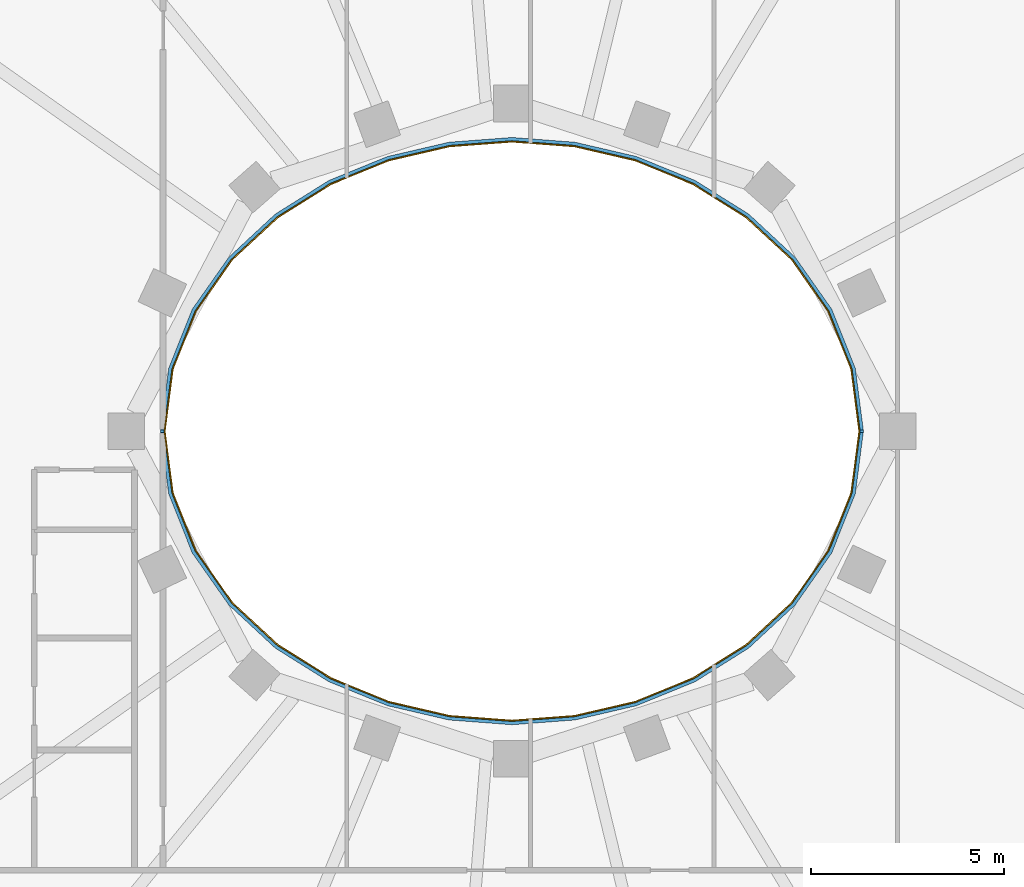
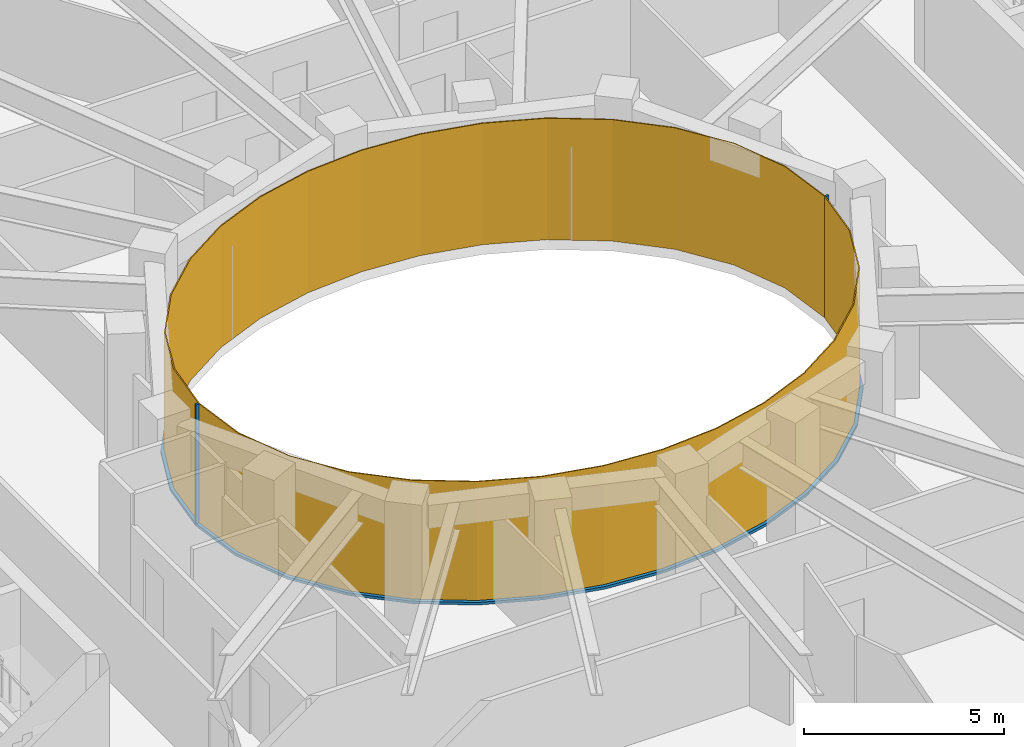
# One storey, part 10 of 15: 4 members, 2 curtain walls.
"""IFC4 building model written with IfcOpenShell, lengths in metres."""

from ifc_helpers import new_model, si_unit, direction, frame, origin, origin_2d, place, context, subcontext, project, spatial, polyline, rectangle, outline, extrude, material, layer, layer_set, material_profile, profile_set, type_object, element, aggregate, save


model = new_model("IFC4")

# Units and contexts
model_context = context("Model", 3, precision=1e-05, world=origin(), true_north=direction((0.0, 1.0)))
body_context = subcontext(model_context, "Body", "Model", "MODEL_VIEW")
ifc_project = project(units=[si_unit("LENGTHUNIT", "METRE"), si_unit("AREAUNIT", "SQUARE_METRE"), si_unit("VOLUMEUNIT", "CUBIC_METRE"), si_unit("PLANEANGLEUNIT", "RADIAN"), si_unit("MASSUNIT", "GRAM", prefix="KILO")], contexts=[model_context])

# Member
ifc_material_1 = material(Name="Steel S355 fire-resisting frame", Category="steel")
ifc_material_profile = material_profile(ifc_material_1, rectangle(XDim=0.090087890625, YDim=0.06005859375, at=origin_2d()), Name="90x60")
ifc_profile_set = profile_set([ifc_material_profile], Name="Steel S355 fire-resisting frame")
member_type_1 = type_object("IfcMemberType", Name="ENV-MULLION-W-90", PredefinedType="MULLION", material=ifc_profile_set)
site_placement = place(None, origin())
building_placement = place(site_placement, origin())
storey_placement = place(building_placement, frame((0.0, 0.0, 277.5)))
member_1_placement = place(storey_placement, frame((9.076904296875, 0.0, 0.0), z_axis=(0.0, 0.0, 1.0), x_axis=(1.0, 0.0, 0.0)))
member_1 = element("IfcMember", 1, at=member_1_placement, type_object=member_type_1, Name="Mullion W well vertex 01", PredefinedType="MULLION", context=body_context, shape_type="SweptSolid", body=[
    extrude(rectangle(XDim=0.090087890625, YDim=0.06005859375, at=origin_2d()), origin(), (0.0, 0.0, 1.0), 3.699951171875),
])

member_2_placement = place(storey_placement, frame((-9.076904296875, 0.0, 0.0), z_axis=(0.0, 0.0, 1.0), x_axis=(-1.0, 0.0, 0.0)))
member_2 = element("IfcMember", 2, at=member_2_placement, type_object=member_type_1, Name="Mullion W well vertex 17", PredefinedType="MULLION", context=body_context, shape_type="SweptSolid", body=[
    extrude(rectangle(XDim=0.090087890625, YDim=0.06005859375, at=origin_2d()), origin(), (0.0, 0.0, 1.0), 3.699951171875),
])

ifc_material_2 = material(Name="Steel S355 fire-resisting frame", Category="steel")
member_type_2 = type_object("IfcMemberType", Name="ENV-TRANSOM-W", PredefinedType="USERDEFINED", material=ifc_material_2)
member_3_placement = place(storey_placement, origin())
member_3 = element("IfcMember", 3, at=member_3_placement, type_object=member_type_2, Name="Transom W well 01-17", ObjectType="TRANSOM", PredefinedType="USERDEFINED", context=body_context, shape_type="SweptSolid", body=[
    extrude(outline(polyline([(9.119384765625, 0.02783203125), (8.910400390625, 1.63623046875), (8.29833984375, 3.167236328125), (7.35107421875, 4.5146484375), (6.1455078125, 5.6337890625), (4.75341796875, 6.50634765625), (3.233642578125, 7.127685546875), (1.635498046875, 7.498779296875), (0.0, 7.622314453125), (-1.635498046875, 7.498779296875), (-3.233642578125, 7.127685546875), (-4.75341796875, 6.50634765625), (-6.1455078125, 5.6337890625), (-7.35107421875, 4.5146484375), (-8.29833984375, 3.167236328125), (-8.910400390625, 1.63623046875), (-9.119384765625, 0.02783203125), (-9.02880859375, 0.02783203125), (-8.822509765625, 1.61328125), (-8.21875, 3.124267578125), (-7.282958984375, 4.455078125), (-6.090576171875, 5.56201171875), (-4.712158203125, 6.426025390625), (-3.206298828125, 7.04150390625), (-1.621826171875, 7.40966796875), (0.0, 7.531982421875), (1.621826171875, 7.40966796875), (3.206298828125, 7.04150390625), (4.712158203125, 6.426025390625), (6.090576171875, 5.56201171875), (7.282958984375, 4.455078125), (8.21875, 3.124267578125), (8.822509765625, 1.61328125), (9.02880859375, 0.02783203125), (9.119384765625, 0.02783203125)])), origin(), (0.0, 0.0, 1.0), 0.080078125),
])

member_4_placement = place(storey_placement, origin())
member_4 = element("IfcMember", 4, at=member_4_placement, type_object=member_type_2, Name="Transom W well 17-01", ObjectType="TRANSOM", PredefinedType="USERDEFINED", context=body_context, shape_type="SweptSolid", body=[
    extrude(outline(polyline([(-9.119384765625, -0.02783203125), (-8.910400390625, -1.63623046875), (-8.29833984375, -3.167236328125), (-7.35107421875, -4.5146484375), (-6.1455078125, -5.6337890625), (-4.75341796875, -6.50634765625), (-3.233642578125, -7.127685546875), (-1.635498046875, -7.498779296875), (0.0, -7.622314453125), (1.635498046875, -7.498779296875), (3.233642578125, -7.127685546875), (4.75341796875, -6.50634765625), (6.1455078125, -5.6337890625), (7.35107421875, -4.5146484375), (8.29833984375, -3.167236328125), (8.910400390625, -1.63623046875), (9.119384765625, -0.02783203125), (9.02880859375, -0.02783203125), (8.822509765625, -1.61328125), (8.21875, -3.124267578125), (7.282958984375, -4.455078125), (6.090576171875, -5.56201171875), (4.712158203125, -6.426025390625), (3.206298828125, -7.04150390625), (1.621826171875, -7.40966796875), (0.0, -7.531982421875), (-1.621826171875, -7.40966796875), (-3.206298828125, -7.04150390625), (-4.712158203125, -6.426025390625), (-6.090576171875, -5.56201171875), (-7.282958984375, -4.455078125), (-8.21875, -3.124267578125), (-8.822509765625, -1.61328125), (-9.02880859375, -0.02783203125), (-9.119384765625, -0.02783203125)])), origin(), (0.0, 0.0, 1.0), 0.080078125),
])

# Site, building, storey
site = spatial("IfcSite", under=ifc_project, at=site_placement, CompositionType="ELEMENT")
building = spatial("IfcBuilding", under=site, at=building_placement, Name="Noorbagh Ring Tower", CompositionType="ELEMENT")
storey = spatial("IfcBuildingStorey", under=building, at=storey_placement, Name="L59", CompositionType="ELEMENT", Elevation=277.5)

# Curtain wall
ifc_material_3 = material(Name="Glass fire-resisting E60 laminated", Category="glass")
ifc_layer = layer(ifc_material_3, 0.031982421875)
ifc_layer_set = layer_set([ifc_layer], Name="Glass fire-resisting E60 laminated")
curtain_wall_type = type_object("IfcCurtainWallType", Name="ENV-CW-W", PredefinedType="NOTDEFINED", material=ifc_layer_set)
curtain_wall_1_placement = place(storey_placement, origin())
curtain_wall_1 = element("IfcCurtainWall", 5, at=curtain_wall_1_placement, inside=storey, type_object=curtain_wall_type, Name="Curtain wall W W01", PredefinedType="NOTDEFINED", context=body_context, shape_type="SweptSolid", body=[
    extrude(outline(polyline([(9.0322265625, 0.0), (8.822509765625, 1.61328125), (8.21875, 3.124267578125), (7.282958984375, 4.455078125), (6.090576171875, 5.56201171875), (4.712158203125, 6.426025390625), (3.206298828125, 7.04150390625), (1.621826171875, 7.40966796875), (0.0, 7.531982421875), (-1.621826171875, 7.40966796875), (-3.206298828125, 7.04150390625), (-4.712158203125, 6.426025390625), (-6.090576171875, 5.56201171875), (-7.282958984375, 4.455078125), (-8.21875, 3.124267578125), (-8.822509765625, 1.61328125), (-9.0322265625, 0.0), (-9.0, 0.0), (-8.79150390625, 1.605224609375), (-8.1904296875, 3.10888671875), (-7.2587890625, 4.43408203125), (-6.071044921875, 5.53662109375), (-4.697509765625, 6.3974609375), (-3.196533203125, 7.010986328125), (-1.6171875, 7.3779296875), (0.0, 7.5), (1.6171875, 7.3779296875), (3.196533203125, 7.010986328125), (4.697509765625, 6.3974609375), (6.071044921875, 5.53662109375), (7.2587890625, 4.43408203125), (8.1904296875, 3.10888671875), (8.79150390625, 1.605224609375), (9.0, 0.0), (9.0322265625, 0.0)])), origin(), (0.0, 0.0, 1.0), 3.699951171875),
])

aggregate(curtain_wall_1, [member_1, member_2, member_3])

curtain_wall_2_placement = place(storey_placement, origin())
curtain_wall_2 = element("IfcCurtainWall", 6, at=curtain_wall_2_placement, inside=storey, type_object=curtain_wall_type, Name="Curtain wall W W17", PredefinedType="NOTDEFINED", context=body_context, shape_type="SweptSolid", body=[
    extrude(outline(polyline([(-9.0322265625, 0.0), (-8.822509765625, -1.61328125), (-8.21875, -3.124267578125), (-7.282958984375, -4.455078125), (-6.090576171875, -5.56201171875), (-4.712158203125, -6.426025390625), (-3.206298828125, -7.04150390625), (-1.621826171875, -7.40966796875), (0.0, -7.531982421875), (1.621826171875, -7.40966796875), (3.206298828125, -7.04150390625), (4.712158203125, -6.426025390625), (6.090576171875, -5.56201171875), (7.282958984375, -4.455078125), (8.21875, -3.124267578125), (8.822509765625, -1.61328125), (9.0322265625, 0.0), (9.0, 0.0), (8.79150390625, -1.605224609375), (8.1904296875, -3.10888671875), (7.2587890625, -4.43408203125), (6.071044921875, -5.53662109375), (4.697509765625, -6.3974609375), (3.196533203125, -7.010986328125), (1.6171875, -7.3779296875), (0.0, -7.5), (-1.6171875, -7.3779296875), (-3.196533203125, -7.010986328125), (-4.697509765625, -6.3974609375), (-6.071044921875, -5.53662109375), (-7.2587890625, -4.43408203125), (-8.1904296875, -3.10888671875), (-8.79150390625, -1.605224609375), (-9.0, 0.0), (-9.0322265625, 0.0)])), origin(), (0.0, 0.0, 1.0), 3.699951171875),
])

aggregate(curtain_wall_2, [member_4])

save(model, "model.ifc")
